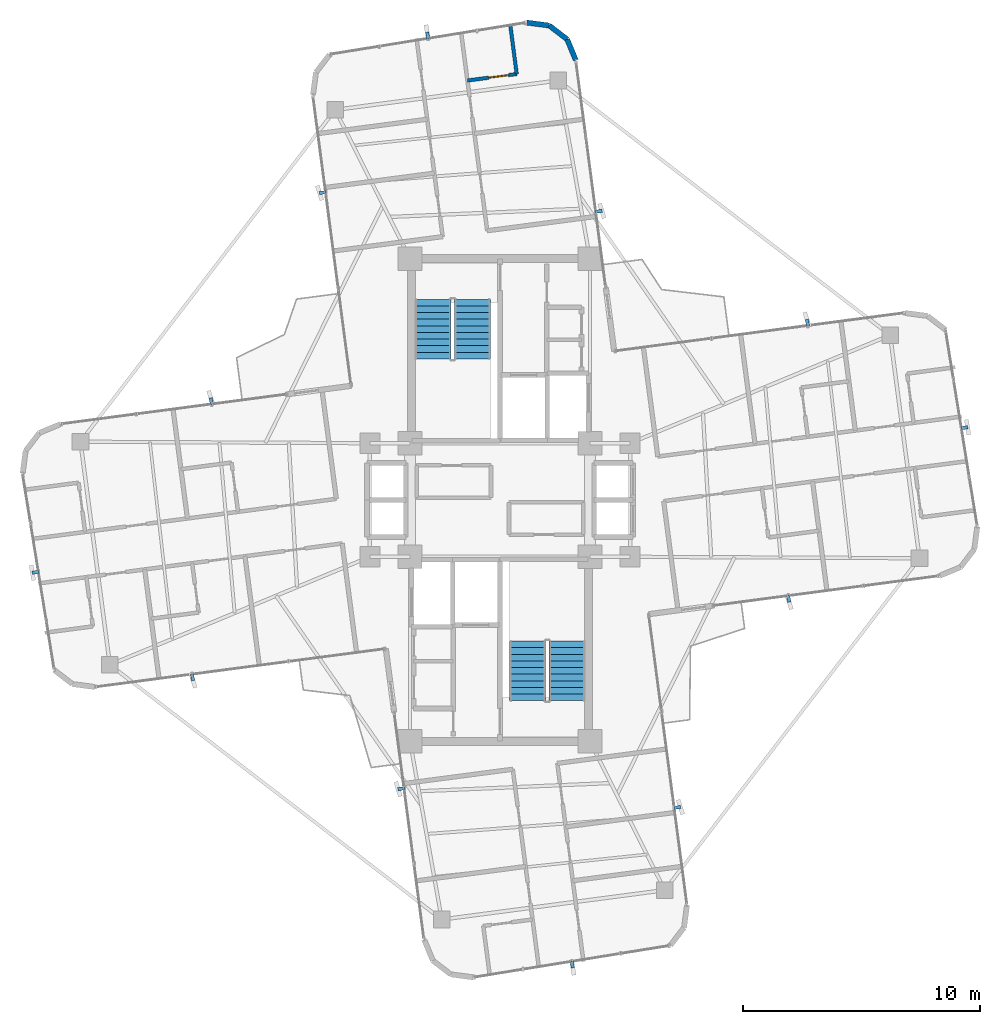
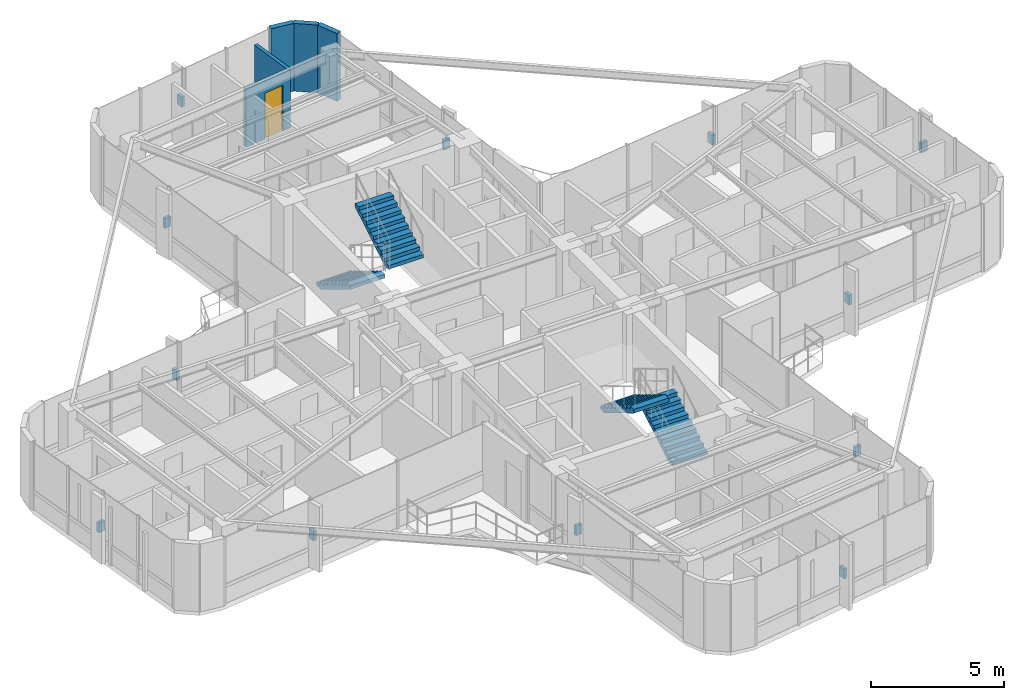
# One storey, part 22 of 23: 12 discrete accessories, 5 walls, 4 stair flights, 1 door, 1 opening, 2 elements without a shape of their own.
"""IFC4 building model written with IfcOpenShell, lengths in metres."""

from ifc_helpers import new_model, si_unit, direction, frame, frame_2d, origin, origin_2d, place, context, subcontext, project, spatial, polyline, rectangle, outline, extrude, source, transform, mapped, material, layer, layer_set, type_object, element, fill, aggregate, save


model = new_model("IFC4")

# Units and contexts
model_context = context("Model", 3, precision=1e-05, world=origin(), true_north=direction((0.0, 1.0)))
body_context = subcontext(model_context, "Body", "Model", "MODEL_VIEW")
ifc_project = project(units=[si_unit("LENGTHUNIT", "METRE"), si_unit("AREAUNIT", "SQUARE_METRE"), si_unit("VOLUMEUNIT", "CUBIC_METRE"), si_unit("PLANEANGLEUNIT", "RADIAN"), si_unit("MASSUNIT", "GRAM", prefix="KILO")], contexts=[model_context])

# Site, building, storey
site_placement = place(None, origin())
site = spatial("IfcSite", under=ifc_project, at=site_placement, CompositionType="ELEMENT")
building_placement = place(site_placement, origin())
building = spatial("IfcBuilding", under=site, at=building_placement, Name="Sahyath Konkavel Grand Hotel", CompositionType="ELEMENT")
storey_placement = place(building_placement, frame((0.0, 0.0, 254.550048828125)))
storey = spatial("IfcBuildingStorey", under=building, at=storey_placement, Name="L71", CompositionType="ELEMENT", Elevation=254.550048828125)

# Walls
ifc_material_1 = material(Name="Warm Buff Sandstone Insulated Concrete C40/50", Category="masonry")
ifc_layer_1 = layer(ifc_material_1, 0.219970703125)
ifc_layer_set_1 = layer_set([ifc_layer_1], Name="Warm Buff Sandstone Insulated Concrete C40/50")
wall_type_1 = type_object("IfcWallType", Name="WLL-BALC-THRESH", PredefinedType="STANDARD", material=ifc_layer_set_1)
for number, where, z_axis, x_axis, name in (
    (1, (3.206298828125, 18.58056640625, 0.0), (0.0, 0.0, 1.0), (-0.382967263559, 0.923761914696, 0.0), "L71 Rounded Corner Sandstone Pier 9"),
    (2, (2.839599609375, 19.465087890625, 0.0), (0.0, 0.0, 1.0), (-0.793249178392, 0.608897151398, 0.0), "L71 Rounded Corner Sandstone Pier 10"),
):
    element("IfcWall", number, at=place(storey_placement, frame(where, z_axis=z_axis, x_axis=x_axis)), inside=storey, type_object=wall_type_1, Name=name, PredefinedType="STANDARD", context=body_context, shape_type="SweptSolid", body=[
        extrude(rectangle(XDim=0.95751953125, YDim=0.219970703125, at=frame_2d((0.478759765625, 0.0))), origin(), (0.0, 0.0, 1.0), 3.10986328125),
    ])
wall_1_placement = place(storey_placement, frame((2.080078125, 20.048095703125, 0.0), z_axis=(0.0, 0.0, 1.0), x_axis=(-0.991444747987, 0.130527053476, 0.0)))
element("IfcWall", 3, at=wall_1_placement, inside=storey, type_object=wall_type_1, Name="L71 Rounded Corner Sandstone Pier 11", PredefinedType="STANDARD", context=body_context, shape_type="SweptSolid", body=[
    extrude(rectangle(XDim=0.957763671875, YDim=0.219970703125, at=frame_2d((0.47900390625, 0.0))), origin(), (0.0, 0.0, 1.0), 3.10986328125),
])

# Wall, opening, door
ifc_material_2 = material(Name="Fire-Rated Gypsum Plasterboard Partition")
ifc_layer_2 = layer(ifc_material_2, 0.14990234375)
ifc_layer_set_2 = layer_set([ifc_layer_2], Name="Fire-Rated Gypsum Plasterboard Partition")
wall_type_2 = type_object("IfcWallType", Name="WLL-PART-150", PredefinedType="PARTITIONING", material=ifc_layer_set_2)
wall_2_placement = place(storey_placement, frame((-1.37548828125, 17.72509765625, 0.0), z_axis=(0.0, 0.0, 1.0), x_axis=(0.991442817683, 0.130541714651, 0.0)))
wall_2 = element("IfcWall", 4, at=wall_2_placement, inside=storey, type_object=wall_type_2, Name="L71 Partition N-N2R-BS", PredefinedType="PARTITIONING", context=body_context, shape_type="SweptSolid", body=[
    extrude(rectangle(XDim=2.100341796875, YDim=0.14990234375, at=frame_2d((1.05029296875, 0.0))), origin(), (0.0, 0.0, 1.0), 2.659912109375),
])
opening_placement = place(wall_2_placement, frame((0.89990234375, 0.0, 0.0)))
opening = element("IfcOpeningElement", 5, at=opening_placement, cuts=wall_2, Name="Opening D-BT85", PredefinedType="OPENING", context=body_context, shape_type="SweptSolid", body=[
    extrude(rectangle(XDim=0.85009765625, YDim=2.10009765625, at=frame_2d((0.425048828125, 1.050048828125))), frame((0.0, 0.0849609375, 0.0), z_axis=(0.0, -1.0, 0.0), x_axis=(1.0, 0.0, 0.0)), (0.0, 0.0, 1.0), 0.169921875),
])
ifc_material_3 = material(Name="Moisture-Resistant Teak Bathroom Door")
door_type = type_object("IfcDoorType", Name="DR-BATH-850", OperationType="NOTDEFINED", PredefinedType="DOOR", material=ifc_material_3)
shared_shape_1 = source(origin(), body_context, "Body", "SweptSolid", [
    extrude(rectangle(XDim=0.85009765625, YDim=0.050048828125, at=origin_2d()), origin(), (0.0, 0.0, 1.0), 2.10009765625),
])
door_placement = place(opening_placement, frame((0.425048828125, 0.0, 0.0)))
door = element("IfcDoor", 6, at=door_placement, inside=storey, type_object=door_type, Name="L71 Door N-N2R-BD", OperationType="SINGLE_SWING_RIGHT", OverallHeight=2.10009765625, OverallWidth=0.85009765625, PredefinedType="DOOR", context=body_context, shape_type="MappedRepresentation", body=[
    mapped(shared_shape_1, transform((0.0, 0.0, 0.0), scale=1.0)),
])
fill(opening, door)

# Wall
wall_3_placement = place(storey_placement, frame((0.706787109375, 17.999267578125, 0.0), z_axis=(0.0, 0.0, 1.0), x_axis=(-0.13052536781, 0.991444969909, 0.0)))
element("IfcWall", 7, at=wall_3_placement, inside=storey, type_object=wall_type_2, Name="L71 Partition N-N2R-BF", PredefinedType="PARTITIONING", context=body_context, shape_type="SweptSolid", body=[
    extrude(rectangle(XDim=2.050048828125, YDim=0.14990234375, at=frame_2d((1.02490234375, 0.0))), origin(), (0.0, 0.0, 1.0), 2.659912109375),
])

# Stair, stair flights
ifc_material_4 = material(Name="Concrete C40/50", Category="concrete")
stair_type = type_object("IfcStairType", Name="STR-ST16-335", PredefinedType="HALF_TURN_STAIR", material=ifc_material_4)
stair_1_placement = place(storey_placement, origin())
stair_1 = element("IfcStair", 8, at=stair_1_placement, inside=storey, type_object=stair_type, Name="L71 North Core Smokeproof Exit Stair ST-1", PredefinedType="HALF_TURN_STAIR")
stair_flight_type = type_object("IfcStairFlightType", Name="STF-ST16-335", PredefinedType="STRAIGHT", material=ifc_material_4)
stair_flight_1_placement = place(storey_placement, frame((-2.840087890625, 8.47998046875, 0.0), z_axis=(0.0, 0.0, 1.0), x_axis=(0.0, -1.0, 0.0)))
stair_flight_1 = element("IfcStairFlight", 9, at=stair_flight_1_placement, type_object=stair_flight_type, Name="ST-1 flight 1", NumberOfRisers=10, NumberOfTreads=9, PredefinedType="STRAIGHT", RiserHeight=0.1675, TreadLength=0.28, context=body_context, shape_type="SweptSolid", body=[
    extrude(outline(polyline([(0.0, 0.0), (0.0, 0.16748046875), (0.280029296875, 0.16748046875), (0.280029296875, 0.3349609375), (0.56005859375, 0.3349609375), (0.56005859375, 0.50244140625), (0.840087890625, 0.50244140625), (0.840087890625, 0.669921875), (1.1201171875, 0.669921875), (1.1201171875, 0.83740234375), (1.39990234375, 0.83740234375), (1.39990234375, 1.0048828125), (1.679931640625, 1.0048828125), (1.679931640625, 1.172607421875), (1.9599609375, 1.172607421875), (1.9599609375, 1.340087890625), (2.239990234375, 1.340087890625), (2.239990234375, 1.507568359375), (2.52001953125, 1.507568359375), (2.52001953125, 1.675048828125), (2.52001953125, 1.332763671875), (0.2919921875, 0.0), (0.0, 0.0)])), frame((0.0, 0.760009765625, 0.0), z_axis=(0.0, -1.0, 0.0), x_axis=(1.0, 0.0, 0.0)), (0.0, 0.0, 1.0), 1.52001953125),
])
stair_flight_2_placement = place(storey_placement, frame((-1.159912109375, 5.9599609375, 1.675048828125), z_axis=(0.0, 0.0, 1.0), x_axis=(0.0, 1.0, 0.0)))
stair_flight_2 = element("IfcStairFlight", 10, at=stair_flight_2_placement, type_object=stair_flight_type, Name="ST-1 flight 2", NumberOfRisers=10, NumberOfTreads=9, PredefinedType="STRAIGHT", RiserHeight=0.1675, TreadLength=0.28, context=body_context, shape_type="SweptSolid", body=[
    extrude(outline(polyline([(0.0, 0.0), (0.0, 0.16748046875), (0.280029296875, 0.16748046875), (0.280029296875, 0.3349609375), (0.56005859375, 0.3349609375), (0.56005859375, 0.50244140625), (0.840087890625, 0.50244140625), (0.840087890625, 0.669921875), (1.1201171875, 0.669921875), (1.1201171875, 0.83740234375), (1.39990234375, 0.83740234375), (1.39990234375, 1.0048828125), (1.679931640625, 1.0048828125), (1.679931640625, 1.172607421875), (1.9599609375, 1.172607421875), (1.9599609375, 1.340087890625), (2.239990234375, 1.340087890625), (2.239990234375, 1.507568359375), (2.52001953125, 1.507568359375), (2.52001953125, 1.675048828125), (2.52001953125, 1.332763671875), (0.2919921875, 0.0), (0.0, 0.0)])), frame((0.0, 0.760009765625, 0.0), z_axis=(0.0, -1.0, 0.0), x_axis=(1.0, 0.0, 0.0)), (0.0, 0.0, 1.0), 1.52001953125),
])
aggregate(stair_1, [stair_flight_1, stair_flight_2])

stair_2_placement = place(storey_placement, origin())
stair_2 = element("IfcStair", 11, at=stair_2_placement, inside=storey, type_object=stair_type, Name="L71 South Core Smokeproof Exit Stair ST-2", PredefinedType="HALF_TURN_STAIR")
stair_flight_3_placement = place(storey_placement, frame((2.840087890625, -8.47998046875, 0.0), z_axis=(0.0, 0.0, 1.0), x_axis=(0.0, 1.0, 0.0)))
stair_flight_3 = element("IfcStairFlight", 12, at=stair_flight_3_placement, type_object=stair_flight_type, Name="ST-2 flight 1", NumberOfRisers=10, NumberOfTreads=9, PredefinedType="STRAIGHT", RiserHeight=0.1675, TreadLength=0.28, context=body_context, shape_type="SweptSolid", body=[
    extrude(outline(polyline([(0.0, 0.0), (0.0, 0.16748046875), (0.280029296875, 0.16748046875), (0.280029296875, 0.3349609375), (0.56005859375, 0.3349609375), (0.56005859375, 0.50244140625), (0.840087890625, 0.50244140625), (0.840087890625, 0.669921875), (1.1201171875, 0.669921875), (1.1201171875, 0.83740234375), (1.39990234375, 0.83740234375), (1.39990234375, 1.0048828125), (1.679931640625, 1.0048828125), (1.679931640625, 1.172607421875), (1.9599609375, 1.172607421875), (1.9599609375, 1.340087890625), (2.239990234375, 1.340087890625), (2.239990234375, 1.507568359375), (2.52001953125, 1.507568359375), (2.52001953125, 1.675048828125), (2.52001953125, 1.332763671875), (0.2919921875, 0.0), (0.0, 0.0)])), frame((0.0, 0.760009765625, 0.0), z_axis=(0.0, -1.0, 0.0), x_axis=(1.0, 0.0, 0.0)), (0.0, 0.0, 1.0), 1.52001953125),
])
stair_flight_4_placement = place(storey_placement, frame((1.159912109375, -5.9599609375, 1.675048828125), z_axis=(0.0, 0.0, 1.0), x_axis=(0.0, -1.0, 0.0)))
stair_flight_4 = element("IfcStairFlight", 13, at=stair_flight_4_placement, type_object=stair_flight_type, Name="ST-2 flight 2", NumberOfRisers=10, NumberOfTreads=9, PredefinedType="STRAIGHT", RiserHeight=0.1675, TreadLength=0.28, context=body_context, shape_type="SweptSolid", body=[
    extrude(outline(polyline([(0.0, 0.0), (0.0, 0.16748046875), (0.280029296875, 0.16748046875), (0.280029296875, 0.3349609375), (0.56005859375, 0.3349609375), (0.56005859375, 0.50244140625), (0.840087890625, 0.50244140625), (0.840087890625, 0.669921875), (1.1201171875, 0.669921875), (1.1201171875, 0.83740234375), (1.39990234375, 0.83740234375), (1.39990234375, 1.0048828125), (1.679931640625, 1.0048828125), (1.679931640625, 1.172607421875), (1.9599609375, 1.172607421875), (1.9599609375, 1.340087890625), (2.239990234375, 1.340087890625), (2.239990234375, 1.507568359375), (2.52001953125, 1.507568359375), (2.52001953125, 1.675048828125), (2.52001953125, 1.332763671875), (0.2919921875, 0.0), (0.0, 0.0)])), frame((0.0, 0.760009765625, 0.0), z_axis=(0.0, -1.0, 0.0), x_axis=(1.0, 0.0, 0.0)), (0.0, 0.0, 1.0), 1.52001953125),
])
aggregate(stair_2, [stair_flight_3, stair_flight_4])

# Discrete accessories
ifc_material_5 = material(Name="Steel E350", Category="steel")
discrete_accessory_type = type_object("IfcDiscreteAccessoryType", Name="ACC-FIN-BRACKET", PredefinedType="BRACKET", material=ifc_material_5)
shared_shape_2 = source(origin(), body_context, "Body", "SweptSolid", [
    extrude(rectangle(XDim=0.280029296875, YDim=0.139892578125, at=origin_2d()), origin(), (0.0, 0.0, 1.0), 0.449951171875),
])
for number, where, z_axis, x_axis, name in (
    (14, (12.199951171875, -4.177490234375, 1.330078125), (0.0, 0.0, 1.0), (0.13052619222, -0.991444861374, 0.0), "L71 Fin Support Bracket F0-1"),
    (15, (19.628173828125, 3.054443359375, 1.330078125), (0.0, 0.0, 1.0), (0.987180873833, 0.159605521014, 0.0), "L71 Fin Support Bracket F4-2"),
    (16, (12.989501953125, 7.49365234375, 1.330078125), (0.0, 0.0, 1.0), (-0.13052619222, 0.991444861374, 0.0), "L71 Fin Support Bracket F7-1"),
    (17, (4.177490234375, 12.199951171875, 1.330078125), (0.0, 0.0, 1.0), (0.991444861374, 0.13052619222, 0.0), "L71 Fin Support Bracket F8-1"),
    (18, (-3.054443359375, 19.628173828125, 1.330078125), (0.0, 0.0, 1.0), (-0.159605521014, 0.987180873833, 0.0), "L71 Fin Support Bracket F12-2"),
    (19, (-7.49365234375, 12.989501953125, 1.330078125), (0.0, 0.0, 1.0), (-0.991444861374, -0.13052619222, 0.0), "L71 Fin Support Bracket F15-1"),
    (20, (-12.199951171875, 4.177490234375, 1.330078125), (0.0, 0.0, 1.0), (-0.13052619222, 0.991444861374, 0.0), "L71 Fin Support Bracket F16-1"),
    (21, (-19.628173828125, -3.054443359375, 1.330078125), (0.0, 0.0, 1.0), (-0.987180873833, -0.159605521014, 0.0), "L71 Fin Support Bracket F20-2"),
    (22, (-12.989501953125, -7.49365234375, 1.330078125), (0.0, 0.0, 1.0), (0.13052619222, -0.991444861374, 0.0), "L71 Fin Support Bracket F23-1"),
    (23, (-4.177490234375, -12.199951171875, 1.330078125), (0.0, 0.0, 1.0), (-0.991444861374, -0.13052619222, 0.0), "L71 Fin Support Bracket F24-1"),
    (24, (3.054443359375, -19.628173828125, 1.330078125), (0.0, 0.0, 1.0), (0.159605521014, -0.987180873833, 0.0), "L71 Fin Support Bracket F28-2"),
    (25, (7.49365234375, -12.989501953125, 1.330078125), (0.0, 0.0, 1.0), (0.991444861374, 0.13052619222, 0.0), "L71 Fin Support Bracket F31-1"),
):
    element("IfcDiscreteAccessory", number, at=place(storey_placement, frame(where, z_axis=z_axis, x_axis=x_axis)), inside=storey, type_object=discrete_accessory_type, Name=name, PredefinedType="BRACKET", context=body_context, shape_type="MappedRepresentation", body=[
        mapped(shared_shape_2, transform((0.0, 0.0, 0.0), scale=1.0)),
    ])

save(model, "model.ifc")
